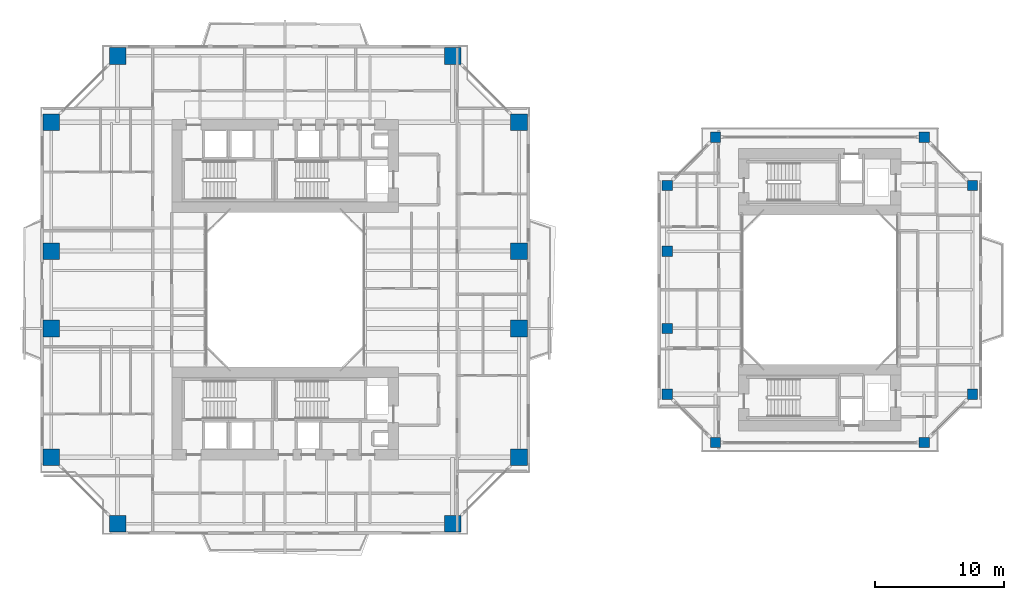
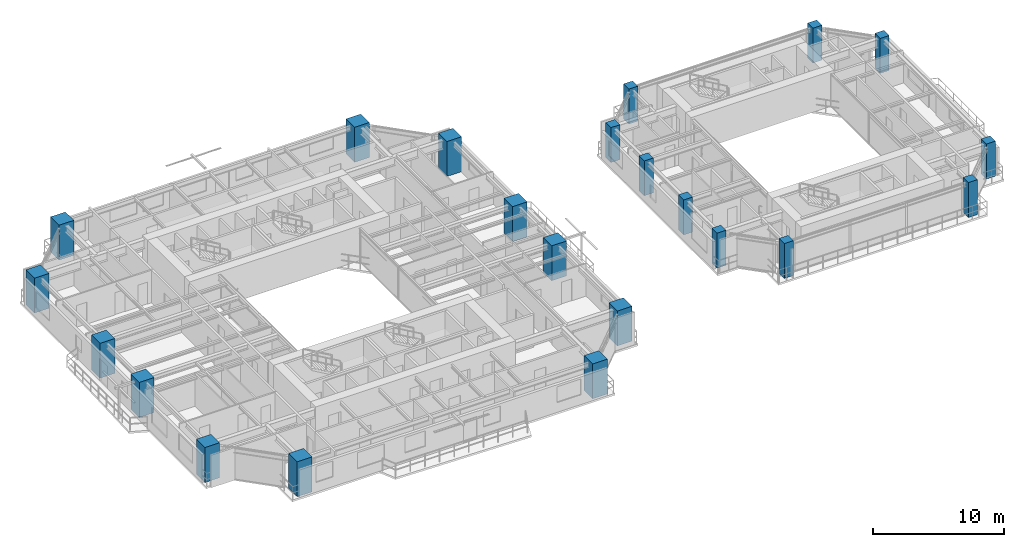
# One storey, part 1 of 23: 22 columns.
"""IFC4 building model written with IfcOpenShell, lengths in metres."""

from ifc_helpers import new_model, si_unit, direction, frame, origin, origin_2d, place, context, subcontext, project, spatial, rectangle, extrude, source, transform, mapped, material, material_profile, profile_set, type_object, element, save


model = new_model("IFC4")

# Units and contexts
model_context = context("Model", 3, precision=1e-05, world=origin(), true_north=direction((0.0, 1.0)))
body_context = subcontext(model_context, "Body", "Model", "MODEL_VIEW")
ifc_project = project(units=[si_unit("LENGTHUNIT", "METRE"), si_unit("AREAUNIT", "SQUARE_METRE"), si_unit("VOLUMEUNIT", "CUBIC_METRE"), si_unit("PLANEANGLEUNIT", "RADIAN"), si_unit("MASSUNIT", "GRAM", prefix="KILO"), si_unit("THERMODYNAMICTEMPERATUREUNIT", "KELVIN"), si_unit("POWERUNIT", "WATT")], contexts=[model_context])

# Site, building, storey
site_placement = place(None, origin())
site = spatial("IfcSite", under=ifc_project, at=site_placement, CompositionType="ELEMENT")
building_placement = place(site_placement, origin())
building = spatial("IfcBuilding", under=site, at=building_placement, Name="Qiaomeng Ring Towers", CompositionType="ELEMENT")
storey_placement = place(building_placement, frame((0.0, 0.0, 89.25)))
storey = spatial("IfcBuildingStorey", under=building, at=storey_placement, Name="L25", CompositionType="ELEMENT", Elevation=89.25)

# Columns
ifc_material_1 = material(Name="Concrete C60", Category="concrete")
ifc_material_profile_1 = material_profile(ifc_material_1, rectangle(XDim=1.300048828125, YDim=1.300048828125, at=origin_2d()), Name="RC COL 1300x1300")
ifc_profile_set_1 = profile_set([ifc_material_profile_1], Name="Concrete C60")
column_type_1 = type_object("IfcColumnType", Name="STR-COL-1300", PredefinedType="COLUMN", material=ifc_profile_set_1)
shared_shape_1 = source(origin(), body_context, "Body", "SweptSolid", [
    extrude(rectangle(XDim=1.300048828125, YDim=1.300048828125, at=origin_2d()), origin(), (0.0, 0.0, 1.0), 3.25),
])
for number, where, z_axis, x_axis, name in (
    (1, (6.0, 4.85009765625, 0.0), (0.0, 0.0, 1.0), (1.0, 0.0, 0.0), "L25 column STR-COL-L25-T1-S1"),
    (2, (32.0, 4.85009765625, 0.0), (0.0, 0.0, 1.0), (1.0, 0.0, 0.0), "L25 column STR-COL-L25-T1-S2"),
    (3, (37.14990234375, 10.0, 0.0), (0.0, 0.0, 1.0), (1.0, 0.0, 0.0), "L25 column STR-COL-L25-T1-E1"),
    (4, (37.14990234375, 20.0, 0.0), (0.0, 0.0, 1.0), (1.0, 0.0, 0.0), "L25 column STR-COL-L25-T1-E2"),
    (5, (37.14990234375, 26.0, 0.0), (0.0, 0.0, 1.0), (1.0, 0.0, 0.0), "L25 column STR-COL-L25-T1-E3"),
    (6, (37.14990234375, 36.0, 0.0), (0.0, 0.0, 1.0), (1.0, 0.0, 0.0), "L25 column STR-COL-L25-T1-E4"),
    (7, (32.0, 41.14990234375, 0.0), (0.0, 0.0, 1.0), (1.0, 0.0, 0.0), "L25 column STR-COL-L25-T1-N2"),
    (8, (6.0, 41.14990234375, 0.0), (0.0, 0.0, 1.0), (1.0, 0.0, 0.0), "L25 column STR-COL-L25-T1-N1"),
    (9, (0.85009765625, 36.0, 0.0), (0.0, 0.0, 1.0), (1.0, 0.0, 0.0), "L25 column STR-COL-L25-T1-W4"),
    (10, (0.85009765625, 26.0, 0.0), (0.0, 0.0, 1.0), (1.0, 0.0, 0.0), "L25 column STR-COL-L25-T1-W3"),
    (11, (0.85009765625, 20.0, 0.0), (0.0, 0.0, 1.0), (1.0, 0.0, 0.0), "L25 column STR-COL-L25-T1-W2"),
    (12, (0.85009765625, 10.0, 0.0), (0.0, 0.0, 1.0), (1.0, 0.0, 0.0), "L25 column STR-COL-L25-T1-W1"),
):
    element("IfcColumn", number, at=place(storey_placement, frame(where, z_axis=z_axis, x_axis=x_axis)), inside=storey, type_object=column_type_1, Name=name, PredefinedType="COLUMN", context=body_context, shape_type="MappedRepresentation", body=[
        mapped(shared_shape_1, transform((0.0, 0.0, 0.0), x_axis=(1.0, 0.0, 0.0), y_axis=(0.0, 1.0, 0.0), z_axis=(0.0, 0.0, 1.0), scale=1.0)),
    ])
ifc_material_2 = material(Name="Concrete C55", Category="concrete")
ifc_material_profile_2 = material_profile(ifc_material_2, rectangle(XDim=0.800048828125, YDim=0.800048828125, at=origin_2d()), Name="RC COL 800x800")
ifc_profile_set_2 = profile_set([ifc_material_profile_2], Name="Concrete C55")
column_type_2 = type_object("IfcColumnType", Name="STR-COL-800-C55", PredefinedType="COLUMN", material=ifc_profile_set_2)
shared_shape_2 = source(origin(), body_context, "Body", "SweptSolid", [
    extrude(rectangle(XDim=0.800048828125, YDim=0.800048828125, at=origin_2d()), origin(), (0.0, 0.0, 1.0), 3.25),
])
for number, where, z_axis, x_axis, name in (
    (13, (52.39990234375, 11.14990234375, 0.0), (0.0, 0.0, 1.0), (1.0, 0.0, 0.0), "L25 column STR-COL-L25-T2-S1"),
    (14, (68.60009765625, 11.14990234375, 0.0), (0.0, 0.0, 1.0), (1.0, 0.0, 0.0), "L25 column STR-COL-L25-T2-S2"),
    (15, (72.35009765625, 14.89990234375, 0.0), (0.0, 0.0, 1.0), (1.0, 0.0, 0.0), "L25 column STR-COL-L25-T2-E1"),
    (16, (72.35009765625, 31.10009765625, 0.0), (0.0, 0.0, 1.0), (1.0, 0.0, 0.0), "L25 column STR-COL-L25-T2-E2"),
    (17, (68.60009765625, 34.85009765625, 0.0), (0.0, 0.0, 1.0), (1.0, 0.0, 0.0), "L25 column STR-COL-L25-T2-N2"),
    (18, (52.39990234375, 34.85009765625, 0.0), (0.0, 0.0, 1.0), (1.0, 0.0, 0.0), "L25 column STR-COL-L25-T2-N1"),
    (19, (48.64990234375, 14.89990234375, 0.0), (0.0, 0.0, 1.0), (1.0, 0.0, 0.0), "L25 column STR-COL-L25-T2-W1"),
    (20, (48.64990234375, 20.0, 0.0), (0.0, 0.0, 1.0), (1.0, 0.0, 0.0), "L25 column STR-COL-L25-T2-W2"),
    (21, (48.64990234375, 26.0, 0.0), (0.0, 0.0, 1.0), (1.0, 0.0, 0.0), "L25 column STR-COL-L25-T2-W3"),
    (22, (48.64990234375, 31.10009765625, 0.0), (0.0, 0.0, 1.0), (1.0, 0.0, 0.0), "L25 column STR-COL-L25-T2-W4"),
):
    element("IfcColumn", number, at=place(storey_placement, frame(where, z_axis=z_axis, x_axis=x_axis)), inside=storey, type_object=column_type_2, Name=name, PredefinedType="COLUMN", context=body_context, shape_type="MappedRepresentation", body=[
        mapped(shared_shape_2, transform((0.0, 0.0, 0.0), x_axis=(1.0, 0.0, 0.0), y_axis=(0.0, 1.0, 0.0), z_axis=(0.0, 0.0, 1.0), scale=1.0)),
    ])

save(model, "model.ifc")
